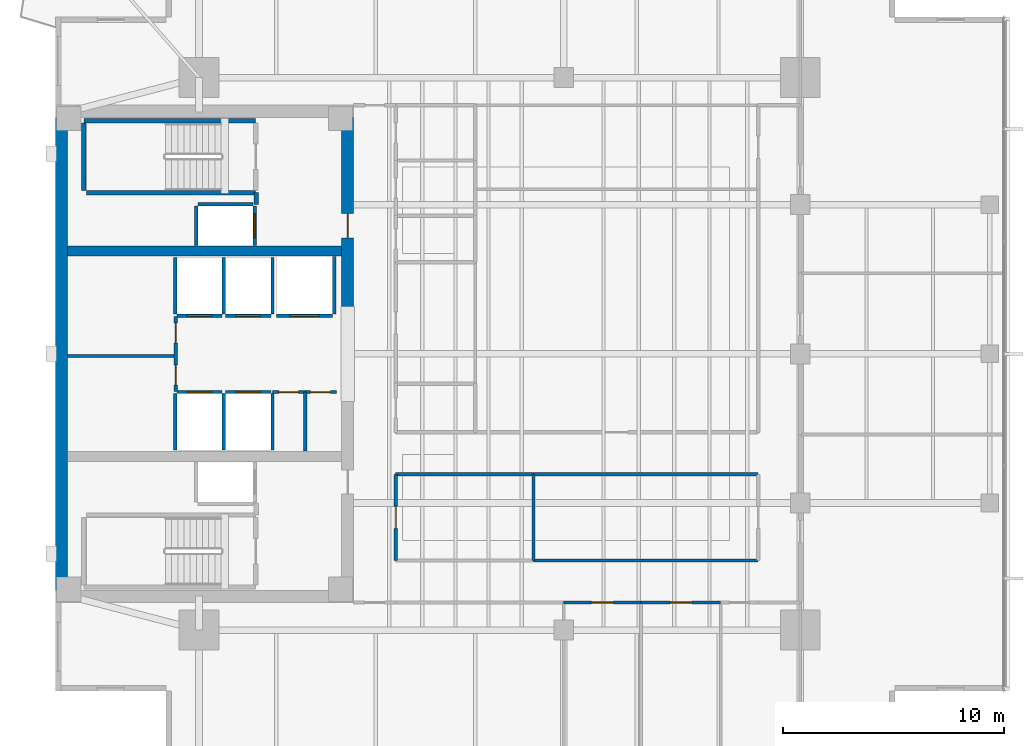
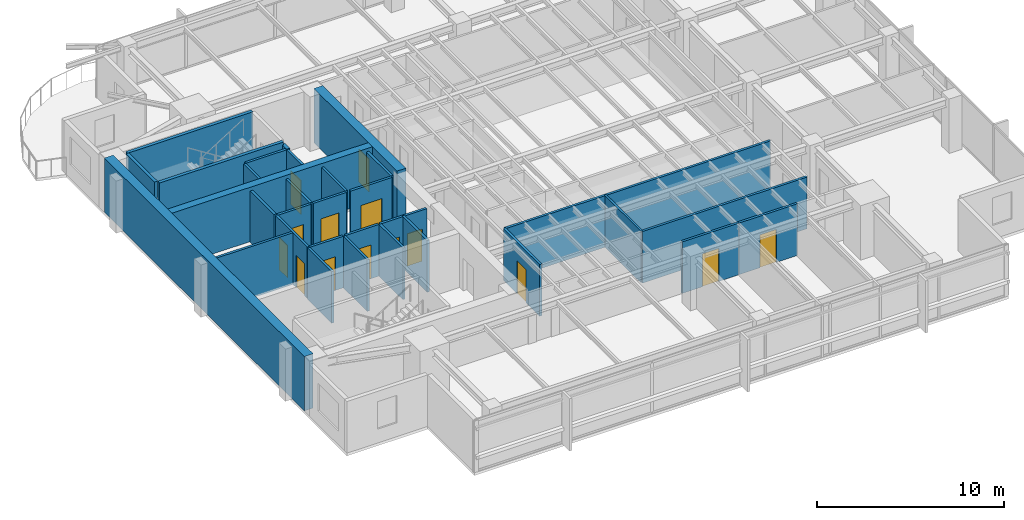
# One storey, part 8 of 14: 33 walls, 14 doors, 14 openings.
"""IFC4 building model written with IfcOpenShell, lengths in metres."""

from ifc_helpers import new_model, si_unit, direction, frame, frame_2d, origin, place, context, subcontext, project, spatial, rectangle, extrude, material, layer, layer_set, type_object, element, fill, save


model = new_model("IFC4")

# Units and contexts
model_context = context("Model", 3, precision=1e-05, world=origin(), true_north=direction((0.0, 1.0)))
body_context = subcontext(model_context, "Body", "Model", "MODEL_VIEW")
ifc_project = project(units=[si_unit("LENGTHUNIT", "METRE"), si_unit("AREAUNIT", "SQUARE_METRE"), si_unit("VOLUMEUNIT", "CUBIC_METRE"), si_unit("PLANEANGLEUNIT", "RADIAN"), si_unit("MASSUNIT", "GRAM", prefix="KILO")], contexts=[model_context])

# Site, building, storey
site_placement = place(None, origin())
site = spatial("IfcSite", under=ifc_project, at=site_placement, CompositionType="ELEMENT")
building_placement = place(site_placement, origin())
building = spatial("IfcBuilding", under=site, at=building_placement, Name="Kinhvarn Gate Tower", CompositionType="ELEMENT")
storey_placement = place(building_placement, frame((0.0, 0.0, 223.550048828125)))
storey = spatial("IfcBuildingStorey", under=building, at=storey_placement, Name="L59", CompositionType="ELEMENT", Elevation=223.550048828125)

# Wall
ifc_material_1 = material(Name="Concrete C50/60", Category="concrete")
ifc_layer_1 = layer(ifc_material_1, 0.449951171875)
ifc_layer_set_1 = layer_set([ifc_layer_1], Name="Concrete C50/60")
wall_type_1 = type_object("IfcWallType", Name="WL-CORE-450", PredefinedType="SHEAR", material=ifc_layer_set_1)
wall_1_placement = place(storey_placement, frame((5.050048828125, 29.89990234375, 0.0), z_axis=(0.0, 0.0, 1.0), x_axis=(1.0, 0.0, 0.0)))
element("IfcWall", 1, at=wall_1_placement, inside=storey, type_object=wall_type_1, Name="Core North Spine Shear Wall L59 450 mm", PredefinedType="SHEAR", context=body_context, shape_type="SweptSolid", body=[
    extrude(rectangle(XDim=12.39990234375, YDim=0.449951171875, at=frame_2d((6.199951171875, 0.0))), origin(), (0.0, 0.0, 1.0), 3.550048828125),
])

# Wall, opening, door
ifc_material_2 = material(Name="Concrete C60/75", Category="concrete")
ifc_layer_2 = layer(ifc_material_2, 0.550048828125)
ifc_layer_set_2 = layer_set([ifc_layer_2], Name="Concrete C60/75")
wall_type_2 = type_object("IfcWallType", Name="WL-CORE-550", PredefinedType="SHEAR", material=ifc_layer_set_2)
wall_2_placement = place(storey_placement, frame((17.72509765625, 27.050048828125, 0.0), z_axis=(0.0, 0.0, 1.0), x_axis=(0.0, 1.0, 0.0)))
wall_2 = element("IfcWall", 2, at=wall_2_placement, inside=storey, type_object=wall_type_2, Name="Core East-North Shear Pier L59 550 mm", PredefinedType="SHEAR", context=body_context, shape_type="SweptSolid", body=[
    extrude(rectangle(XDim=8.89990234375, YDim=0.550048828125, at=frame_2d((4.449951171875, 0.0))), origin(), (0.0, 0.0, 1.0), 3.550048828125),
])
opening_1_placement = place(wall_2_placement, frame((3.449951171875, 0.0, 0.0)))
opening_1 = element("IfcOpeningElement", 3, at=opening_1_placement, cuts=wall_2, Name="Opening FD-02", PredefinedType="OPENING", context=body_context, shape_type="SweptSolid", body=[
    extrude(rectangle(XDim=1.10009765625, YDim=2.14990234375, at=frame_2d((0.550048828125, 1.074951171875))), frame((0.0, 0.28515625, 0.0), z_axis=(0.0, -1.0, 0.0), x_axis=(1.0, 0.0, 0.0)), (0.0, 0.0, 1.0), 0.570068359375),
])
ifc_material_3 = material(Name="Anodised aluminium AW-6063", Category="aluminium")
door_type_1 = type_object("IfcDoorType", Name="DR-FD-1100", OperationType="NOTDEFINED", PredefinedType="DOOR", material=ifc_material_3)
door_1_placement = place(opening_1_placement, origin())
door_1 = element("IfcDoor", 4, at=door_1_placement, inside=storey, type_object=door_type_1, Name="Firefighting Lobby Core Door (L59)", OperationType="SINGLE_SWING_LEFT", OverallHeight=2.14990234375, OverallWidth=1.10009765625, PredefinedType="DOOR", context=body_context, shape_type="SweptSolid", body=[
    extrude(rectangle(XDim=1.10009765625, YDim=2.14990234375, at=frame_2d((0.550048828125, 1.074951171875))), frame((0.0, 0.02490234375, 0.0), z_axis=(0.0, -1.0, 0.0), x_axis=(1.0, 0.0, 0.0)), (0.0, 0.0, 1.0), 0.050048828125),
])
fill(opening_1, door_1)

# Walls
ifc_layer_3 = layer(ifc_material_2, 0.550048828125)
ifc_layer_set_3 = layer_set([ifc_layer_3], Name="Concrete C60/75")
wall_type_3 = type_object("IfcWallType", Name="WL-COREX-550", PredefinedType="SHEAR", material=ifc_layer_set_3)
wall_3_placement = place(storey_placement, frame((4.77490234375, 14.550048828125, 0.0), z_axis=(0.0, 0.0, 1.0), x_axis=(0.0, 1.0, 0.0)))
element("IfcWall", 5, at=wall_3_placement, inside=storey, type_object=wall_type_3, Name="Core West Shear Wall L59 550 mm", PredefinedType="SHEAR", context=body_context, shape_type="SweptSolid", body=[
    extrude(rectangle(XDim=21.39990234375, YDim=0.550048828125, at=frame_2d((10.699951171875, 0.0))), origin(), (0.0, 0.0, 1.0), 3.550048828125),
])
ifc_material_4 = material(Name="Gypsum acoustic partition board")
ifc_layer_4 = layer(ifc_material_4, 0.1201171875)
ifc_layer_set_4 = layer_set([ifc_layer_4], Name="Gypsum acoustic partition board")
wall_type_4 = type_object("IfcWallType", Name="WL-PRT-120", PredefinedType="PARTITIONING", material=ifc_layer_set_4)
wall_4_placement = place(storey_placement, frame((26.1298828125, 15.89990234375, 0.0), z_axis=(0.0, 0.0, 1.0), x_axis=(0.0, 1.0, 0.0)))
element("IfcWall", 6, at=wall_4_placement, inside=storey, type_object=wall_type_4, Name="Interior Partition PW-120 (L59)", PredefinedType="PARTITIONING", context=body_context, shape_type="SweptSolid", body=[
    extrude(rectangle(XDim=3.900146484375, YDim=0.1201171875, at=frame_2d((1.9501953125, 0.0))), origin(), (0.0, 0.0, 1.0), 3.369873046875),
])
ifc_layer_5 = layer(ifc_material_4, 0.14990234375)
ifc_layer_set_5 = layer_set([ifc_layer_5], Name="Gypsum acoustic partition board")
wall_type_5 = type_object("IfcWallType", Name="WL-PRT-150F", PredefinedType="PARTITIONING", material=ifc_layer_set_5)
wall_5_placement = place(storey_placement, frame((5.050048828125, 25.14990234375, 0.0), z_axis=(0.0, 0.0, 1.0), x_axis=(1.0, 0.0, 0.0)))
element("IfcWall", 7, at=wall_5_placement, inside=storey, type_object=wall_type_5, Name="Interior Partition PW-150F (L59)", PredefinedType="PARTITIONING", context=body_context, shape_type="SweptSolid", body=[
    extrude(rectangle(XDim=4.89990234375, YDim=0.14990234375, at=frame_2d((2.449951171875, 0.0))), origin(), (0.0, 0.0, 1.0), 3.369873046875),
])

# Wall, openings, doors
wall_6_placement = place(storey_placement, frame((9.949951171875, 23.550048828125, 0.0), z_axis=(0.0, 0.0, 1.0), x_axis=(0.0, 1.0, 0.0)))
wall_6 = element("IfcWall", 8, at=wall_6_placement, inside=storey, type_object=wall_type_5, Name="Interior Partition PW-150F (L59)", PredefinedType="PARTITIONING", context=body_context, shape_type="SweptSolid", body=[
    extrude(rectangle(XDim=3.39990234375, YDim=0.14990234375, at=frame_2d((1.699951171875, 0.0))), origin(), (0.0, 0.0, 1.0), 3.369873046875),
])
opening_2_placement = place(wall_6_placement, frame((0.298095703125, 0.0, 0.0)))
opening_2 = element("IfcOpeningElement", 9, at=opening_2_placement, cuts=wall_6, Name="Opening FD-04", PredefinedType="OPENING", context=body_context, shape_type="SweptSolid", body=[
    extrude(rectangle(XDim=0.89990234375, YDim=2.10009765625, at=frame_2d((0.449951171875, 1.050048828125))), frame((0.0, 0.0849609375, 0.0), z_axis=(0.0, -1.0, 0.0), x_axis=(1.0, 0.0, 0.0)), (0.0, 0.0, 1.0), 0.169921875),
])
opening_3_placement = place(wall_6_placement, frame((2.201904296875, 0.0, 0.0)))
opening_3 = element("IfcOpeningElement", 10, at=opening_3_placement, cuts=wall_6, Name="Opening FD-04", PredefinedType="OPENING", context=body_context, shape_type="SweptSolid", body=[
    extrude(rectangle(XDim=0.89990234375, YDim=2.10009765625, at=frame_2d((0.449951171875, 1.050048828125))), frame((0.0, 0.0849609375, 0.0), z_axis=(0.0, -1.0, 0.0), x_axis=(1.0, 0.0, 0.0)), (0.0, 0.0, 1.0), 0.169921875),
])
door_type_2 = type_object("IfcDoorType", Name="DR-FD-900", OperationType="NOTDEFINED", PredefinedType="DOOR", material=ifc_material_3)
door_2_placement = place(opening_2_placement, origin())
door_2 = element("IfcDoor", 11, at=door_2_placement, inside=storey, type_object=door_type_2, Name="Rated Riser & Service Closet Fire Door 900x2100 mm (L59)", OperationType="SINGLE_SWING_RIGHT", OverallHeight=2.10009765625, OverallWidth=0.89990234375, PredefinedType="DOOR", context=body_context, shape_type="SweptSolid", body=[
    extrude(rectangle(XDim=0.89990234375, YDim=2.10009765625, at=frame_2d((0.449951171875, 1.050048828125))), frame((0.0, 0.02490234375, 0.0), z_axis=(0.0, -1.0, 0.0), x_axis=(1.0, 0.0, 0.0)), (0.0, 0.0, 1.0), 0.050048828125),
])
fill(opening_2, door_2)
door_3_placement = place(opening_3_placement, origin())
door_3 = element("IfcDoor", 12, at=door_3_placement, inside=storey, type_object=door_type_2, Name="Rated Riser & Service Closet Fire Door 900x2100 mm (L59)", OperationType="SINGLE_SWING_LEFT", OverallHeight=2.10009765625, OverallWidth=0.89990234375, PredefinedType="DOOR", context=body_context, shape_type="SweptSolid", body=[
    extrude(rectangle(XDim=0.89990234375, YDim=2.10009765625, at=frame_2d((0.449951171875, 1.050048828125))), frame((0.0, 0.02490234375, 0.0), z_axis=(0.0, -1.0, 0.0), x_axis=(1.0, 0.0, 0.0)), (0.0, 0.0, 1.0), 0.050048828125),
])
fill(opening_3, door_3)

# Wall
wall_7_placement = place(storey_placement, frame((15.800048828125, 20.85009765625, 0.0), z_axis=(0.0, 0.0, 1.0), x_axis=(0.0, 1.0, 0.0)))
element("IfcWall", 13, at=wall_7_placement, inside=storey, type_object=wall_type_5, Name="Interior Partition PW-150F (L59)", PredefinedType="PARTITIONING", context=body_context, shape_type="SweptSolid", body=[
    extrude(rectangle(XDim=2.669921875, YDim=0.14990234375, at=frame_2d((1.3349609375, 0.0))), origin(), (0.0, 0.0, 1.0), 3.369873046875),
])

# Wall, openings, doors
wall_8_placement = place(storey_placement, frame((14.330078125, 23.52001953125, 0.0), z_axis=(0.0, 0.0, 1.0), x_axis=(1.0, 0.0, 0.0)))
wall_8 = element("IfcWall", 14, at=wall_8_placement, inside=storey, type_object=wall_type_5, Name="Interior Partition PW-150F (L59)", PredefinedType="PARTITIONING", context=body_context, shape_type="SweptSolid", body=[
    extrude(rectangle(XDim=2.889892578125, YDim=0.14990234375, at=frame_2d((1.44482421875, 0.0))), origin(), (0.0, 0.0, 1.0), 3.369873046875),
])
opening_4_placement = place(wall_8_placement, frame((0.280029296875, 0.0, 0.0)))
opening_4 = element("IfcOpeningElement", 15, at=opening_4_placement, cuts=wall_8, Name="Opening FD-04", PredefinedType="OPENING", context=body_context, shape_type="SweptSolid", body=[
    extrude(rectangle(XDim=0.89990234375, YDim=2.10009765625, at=frame_2d((0.449951171875, 1.050048828125))), frame((0.0, 0.0849609375, 0.0), z_axis=(0.0, -1.0, 0.0), x_axis=(1.0, 0.0, 0.0)), (0.0, 0.0, 1.0), 0.169921875),
])
opening_5_placement = place(wall_8_placement, frame((1.7099609375, 0.0, 0.0)))
opening_5 = element("IfcOpeningElement", 16, at=opening_5_placement, cuts=wall_8, Name="Opening FD-04", PredefinedType="OPENING", context=body_context, shape_type="SweptSolid", body=[
    extrude(rectangle(XDim=0.89990234375, YDim=2.10009765625, at=frame_2d((0.449951171875, 1.050048828125))), frame((0.0, 0.0849609375, 0.0), z_axis=(0.0, -1.0, 0.0), x_axis=(1.0, 0.0, 0.0)), (0.0, 0.0, 1.0), 0.169921875),
])
door_4_placement = place(opening_4_placement, origin())
door_4 = element("IfcDoor", 17, at=door_4_placement, inside=storey, type_object=door_type_2, Name="Rated Riser & Service Closet Fire Door 900x2100 mm (L59)", OperationType="SINGLE_SWING_RIGHT", OverallHeight=2.10009765625, OverallWidth=0.89990234375, PredefinedType="DOOR", context=body_context, shape_type="SweptSolid", body=[
    extrude(rectangle(XDim=0.89990234375, YDim=2.10009765625, at=frame_2d((0.449951171875, 1.050048828125))), frame((0.0, 0.02490234375, 0.0), z_axis=(0.0, -1.0, 0.0), x_axis=(1.0, 0.0, 0.0)), (0.0, 0.0, 1.0), 0.050048828125),
])
fill(opening_4, door_4)
door_5_placement = place(opening_5_placement, origin())
door_5 = element("IfcDoor", 18, at=door_5_placement, inside=storey, type_object=door_type_2, Name="Rated Riser & Service Closet Fire Door 900x2100 mm (L59)", OperationType="SINGLE_SWING_LEFT", OverallHeight=2.10009765625, OverallWidth=0.89990234375, PredefinedType="DOOR", context=body_context, shape_type="SweptSolid", body=[
    extrude(rectangle(XDim=0.89990234375, YDim=2.10009765625, at=frame_2d((0.449951171875, 1.050048828125))), frame((0.0, 0.02490234375, 0.0), z_axis=(0.0, -1.0, 0.0), x_axis=(1.0, 0.0, 0.0)), (0.0, 0.0, 1.0), 0.050048828125),
])
fill(opening_5, door_5)

# Wall, opening, door
wall_9_placement = place(storey_placement, frame((19.89990234375, 15.89990234375, 0.0), z_axis=(0.0, 0.0, 1.0), x_axis=(0.0, 1.0, 0.0)))
wall_9 = element("IfcWall", 19, at=wall_9_placement, inside=storey, type_object=wall_type_5, Name="Interior Partition PW-150F (L59)", PredefinedType="PARTITIONING", context=body_context, shape_type="SweptSolid", body=[
    extrude(rectangle(XDim=3.900146484375, YDim=0.14990234375, at=frame_2d((1.9501953125, 0.0))), origin(), (0.0, 0.0, 1.0), 3.369873046875),
])
opening_6_placement = place(wall_9_placement, frame((1.449951171875, 0.0, 0.0)))
opening_6 = element("IfcOpeningElement", 20, at=opening_6_placement, cuts=wall_9, Name="Opening ID-02", PredefinedType="OPENING", context=body_context, shape_type="SweptSolid", body=[
    extrude(rectangle(XDim=1.0, YDim=2.14990234375, at=frame_2d((0.5, 1.074951171875))), frame((0.0, 0.0849609375, 0.0), z_axis=(0.0, -1.0, 0.0), x_axis=(1.0, 0.0, 0.0)), (0.0, 0.0, 1.0), 0.169921875),
])
door_type_3 = type_object("IfcDoorType", Name="DR-INT-1000", OperationType="NOTDEFINED", PredefinedType="DOOR", material=ifc_material_3)
door_6_placement = place(opening_6_placement, origin())
door_6 = element("IfcDoor", 21, at=door_6_placement, inside=storey, type_object=door_type_3, Name="Standard Office & Meeting Room Door 1000x2150 mm (L59)", OperationType="SINGLE_SWING_RIGHT", OverallHeight=2.14990234375, OverallWidth=1.0, PredefinedType="DOOR", context=body_context, shape_type="SweptSolid", body=[
    extrude(rectangle(XDim=1.0, YDim=2.14990234375, at=frame_2d((0.5, 1.074951171875))), frame((0.0, 0.02490234375, 0.0), z_axis=(0.0, -1.0, 0.0), x_axis=(1.0, 0.0, 0.0)), (0.0, 0.0, 1.0), 0.050048828125),
])
fill(opening_6, door_6)

# Walls
wall_10_placement = place(storey_placement, frame((19.89990234375, 19.800048828125, 0.0), z_axis=(0.0, 0.0, 1.0), x_axis=(1.0, 0.0, 0.0)))
element("IfcWall", 22, at=wall_10_placement, inside=storey, type_object=wall_type_5, Name="Interior Partition PW-150F (L59)", PredefinedType="PARTITIONING", context=body_context, shape_type="SweptSolid", body=[
    extrude(rectangle(XDim=6.22998046875, YDim=0.14990234375, at=frame_2d((3.114990234375, 0.0))), origin(), (0.0, 0.0, 1.0), 3.369873046875),
])
for number, where, z_axis, x_axis, name in (
    (23, (26.1298828125, 19.800048828125, 0.0), (0.0, 0.0, 1.0), (1.0, 0.0, 0.0), "Interior Partition PW-150F (L59)"),
    (24, (26.1298828125, 15.89990234375, 0.0), (0.0, 0.0, 1.0), (1.0, 0.0, 0.0), "Interior Partition PW-150F (L59)"),
):
    element("IfcWall", number, at=place(storey_placement, frame(where, z_axis=z_axis, x_axis=x_axis)), inside=storey, type_object=wall_type_5, Name=name, PredefinedType="PARTITIONING", context=body_context, shape_type="SweptSolid", body=[
        extrude(rectangle(XDim=10.170166015625, YDim=0.14990234375, at=frame_2d((5.0849609375, 0.0))), origin(), (0.0, 0.0, 1.0), 3.369873046875),
    ])

# Wall, opening, door
wall_11_placement = place(storey_placement, frame((27.5, 14.0, 0.0), z_axis=(0.0, 0.0, 1.0), x_axis=(1.0, 0.0, 0.0)))
wall_11 = element("IfcWall", 25, at=wall_11_placement, inside=storey, type_object=wall_type_5, Name="Interior Partition PW-150F (L59)", PredefinedType="PARTITIONING", context=body_context, shape_type="SweptSolid", body=[
    extrude(rectangle(XDim=3.5, YDim=0.14990234375, at=frame_2d((1.75, 0.0))), origin(), (0.0, 0.0, 1.0), 3.369873046875),
])
opening_7_placement = place(wall_11_placement, frame((1.25, 0.0, 0.0)))
opening_7 = element("IfcOpeningElement", 26, at=opening_7_placement, cuts=wall_11, Name="Opening ID-02", PredefinedType="OPENING", context=body_context, shape_type="SweptSolid", body=[
    extrude(rectangle(XDim=1.0, YDim=2.14990234375, at=frame_2d((0.5, 1.074951171875))), frame((0.0, 0.0849609375, 0.0), z_axis=(0.0, -1.0, 0.0), x_axis=(1.0, 0.0, 0.0)), (0.0, 0.0, 1.0), 0.169921875),
])
door_7_placement = place(opening_7_placement, origin())
door_7 = element("IfcDoor", 27, at=door_7_placement, inside=storey, type_object=door_type_3, Name="Standard Office & Meeting Room Door 1000x2150 mm (L59)", OperationType="SINGLE_SWING_RIGHT", OverallHeight=2.14990234375, OverallWidth=1.0, PredefinedType="DOOR", context=body_context, shape_type="SweptSolid", body=[
    extrude(rectangle(XDim=1.0, YDim=2.14990234375, at=frame_2d((0.5, 1.074951171875))), frame((0.0, 0.02490234375, 0.0), z_axis=(0.0, -1.0, 0.0), x_axis=(1.0, 0.0, 0.0)), (0.0, 0.0, 1.0), 0.050048828125),
])
fill(opening_7, door_7)

wall_12_placement = place(storey_placement, frame((31.0, 14.0, 0.0), z_axis=(0.0, 0.0, 1.0), x_axis=(1.0, 0.0, 0.0)))
wall_12 = element("IfcWall", 28, at=wall_12_placement, inside=storey, type_object=wall_type_5, Name="Interior Partition PW-150F (L59)", PredefinedType="PARTITIONING", context=body_context, shape_type="SweptSolid", body=[
    extrude(rectangle(XDim=3.60009765625, YDim=0.14990234375, at=frame_2d((1.800048828125, 0.0))), origin(), (0.0, 0.0, 1.0), 3.369873046875),
])
opening_8_placement = place(wall_12_placement, frame((1.300048828125, 0.0, 0.0)))
opening_8 = element("IfcOpeningElement", 29, at=opening_8_placement, cuts=wall_12, Name="Opening ID-02", PredefinedType="OPENING", context=body_context, shape_type="SweptSolid", body=[
    extrude(rectangle(XDim=1.0, YDim=2.14990234375, at=frame_2d((0.5, 1.074951171875))), frame((0.0, 0.0849609375, 0.0), z_axis=(0.0, -1.0, 0.0), x_axis=(1.0, 0.0, 0.0)), (0.0, 0.0, 1.0), 0.169921875),
])
door_8_placement = place(opening_8_placement, origin())
door_8 = element("IfcDoor", 30, at=door_8_placement, inside=storey, type_object=door_type_3, Name="Standard Office & Meeting Room Door 1000x2150 mm (L59)", OperationType="SINGLE_SWING_LEFT", OverallHeight=2.14990234375, OverallWidth=1.0, PredefinedType="DOOR", context=body_context, shape_type="SweptSolid", body=[
    extrude(rectangle(XDim=1.0, YDim=2.14990234375, at=frame_2d((0.5, 1.074951171875))), frame((0.0, 0.02490234375, 0.0), z_axis=(0.0, -1.0, 0.0), x_axis=(1.0, 0.0, 0.0)), (0.0, 0.0, 1.0), 0.050048828125),
])
fill(opening_8, door_8)

# Wall
ifc_layer_6 = layer(ifc_material_4, 0.199951171875)
ifc_layer_set_6 = layer_set([ifc_layer_6], Name="Gypsum acoustic partition board")
wall_type_6 = type_object("IfcWallType", Name="WL-PRT-200", PredefinedType="PARTITIONING", material=ifc_layer_set_6)
wall_13_placement = place(storey_placement, frame((13.580078125, 32.0, 0.0), z_axis=(0.0, 0.0, 1.0), x_axis=(0.0, 1.0, 0.0)))
element("IfcWall", 31, at=wall_13_placement, inside=storey, type_object=wall_type_6, Name="Interior Partition PW-200 (L59)", PredefinedType="PARTITIONING", context=body_context, shape_type="SweptSolid", body=[
    extrude(rectangle(XDim=0.5400390625, YDim=0.199951171875, at=frame_2d((0.27001953125, 0.0))), origin(), (0.0, 0.0, 1.0), 3.369873046875),
])

# Wall, opening, door
ifc_layer_7 = layer(ifc_material_4, 0.14990234375)
ifc_layer_set_7 = layer_set([ifc_layer_7], Name="Gypsum acoustic partition board")
wall_type_7 = type_object("IfcWallType", Name="WL-SHF-150", PredefinedType="PARTITIONING", material=ifc_layer_set_7)
wall_14_placement = place(storey_placement, frame((10.0, 23.52490234375, 0.0), z_axis=(0.0, 0.0, 1.0), x_axis=(1.0, 0.0, 0.0)))
wall_14 = element("IfcWall", 32, at=wall_14_placement, inside=storey, type_object=wall_type_7, Name="Elevator PH-09 Landing Wall (L59)", PredefinedType="PARTITIONING", context=body_context, shape_type="SweptSolid", body=[
    extrude(rectangle(XDim=2.050048828125, YDim=0.14990234375, at=frame_2d((1.02490234375, 0.0))), origin(), (0.0, 0.0, 1.0), 3.369873046875),
])
opening_9_placement = place(wall_14_placement, frame((0.47509765625, 0.0, 0.0)))
opening_9 = element("IfcOpeningElement", 33, at=opening_9_placement, cuts=wall_14, Name="Opening LD-01", PredefinedType="OPENING", context=body_context, shape_type="SweptSolid", body=[
    extrude(rectangle(XDim=1.10009765625, YDim=2.199951171875, at=frame_2d((0.550048828125, 1.10009765625))), frame((0.0, 0.0849609375, 0.0), z_axis=(0.0, -1.0, 0.0), x_axis=(1.0, 0.0, 0.0)), (0.0, 0.0, 1.0), 0.169921875),
])
door_type_4 = type_object("IfcDoorType", Name="DR-LND-PAS", OperationType="NOTDEFINED", PredefinedType="DOOR", material=ifc_material_3)
door_9_placement = place(opening_9_placement, origin())
door_9 = element("IfcDoor", 34, at=door_9_placement, inside=storey, type_object=door_type_4, Name="Elevator PH-09 Sliding Landing Door (L59)", OperationType="DOUBLE_DOOR_SLIDING", OverallHeight=2.199951171875, OverallWidth=1.10009765625, PredefinedType="DOOR", context=body_context, shape_type="SweptSolid", body=[
    extrude(rectangle(XDim=1.10009765625, YDim=2.199951171875, at=frame_2d((0.550048828125, 1.10009765625))), frame((0.0, 0.02490234375, 0.0), z_axis=(0.0, -1.0, 0.0), x_axis=(1.0, 0.0, 0.0)), (0.0, 0.0, 1.0), 0.050048828125),
])
fill(opening_9, door_9)

# Walls
for number, where, z_axis, x_axis, name in (
    (35, (9.925048828125, 20.89990234375, 0.0), (0.0, 0.0, 1.0), (0.0, 1.0, 0.0), "Elevator PH-09 Hoistway Wall W (L59)"),
    (36, (12.125, 20.89990234375, 0.0), (0.0, 0.0, 1.0), (0.0, 1.0, 0.0), "Elevator PH-09 Hoistway Wall E (L59)"),
):
    element("IfcWall", number, at=place(storey_placement, frame(where, z_axis=z_axis, x_axis=x_axis)), inside=storey, type_object=wall_type_7, Name=name, PredefinedType="PARTITIONING", context=body_context, shape_type="SweptSolid", body=[
        extrude(rectangle(XDim=2.550048828125, YDim=0.14990234375, at=frame_2d((1.27490234375, 0.0))), origin(), (0.0, 0.0, 1.0), 3.369873046875),
    ])

# Wall, opening, door
wall_15_placement = place(storey_placement, frame((12.199951171875, 23.52490234375, 0.0), z_axis=(0.0, 0.0, 1.0), x_axis=(1.0, 0.0, 0.0)))
wall_15 = element("IfcWall", 37, at=wall_15_placement, inside=storey, type_object=wall_type_7, Name="Elevator PH-10 Landing Wall (L59)", PredefinedType="PARTITIONING", context=body_context, shape_type="SweptSolid", body=[
    extrude(rectangle(XDim=2.050048828125, YDim=0.14990234375, at=frame_2d((1.02490234375, 0.0))), origin(), (0.0, 0.0, 1.0), 3.369873046875),
])
opening_10_placement = place(wall_15_placement, frame((0.47509765625, 0.0, 0.0)))
opening_10 = element("IfcOpeningElement", 38, at=opening_10_placement, cuts=wall_15, Name="Opening LD-01", PredefinedType="OPENING", context=body_context, shape_type="SweptSolid", body=[
    extrude(rectangle(XDim=1.10009765625, YDim=2.199951171875, at=frame_2d((0.550048828125, 1.10009765625))), frame((0.0, 0.0849609375, 0.0), z_axis=(0.0, -1.0, 0.0), x_axis=(1.0, 0.0, 0.0)), (0.0, 0.0, 1.0), 0.169921875),
])
door_10_placement = place(opening_10_placement, origin())
door_10 = element("IfcDoor", 39, at=door_10_placement, inside=storey, type_object=door_type_4, Name="Elevator PH-10 Sliding Landing Door (L59)", OperationType="DOUBLE_DOOR_SLIDING", OverallHeight=2.199951171875, OverallWidth=1.10009765625, PredefinedType="DOOR", context=body_context, shape_type="SweptSolid", body=[
    extrude(rectangle(XDim=1.10009765625, YDim=2.199951171875, at=frame_2d((0.550048828125, 1.10009765625))), frame((0.0, 0.02490234375, 0.0), z_axis=(0.0, -1.0, 0.0), x_axis=(1.0, 0.0, 0.0)), (0.0, 0.0, 1.0), 0.050048828125),
])
fill(opening_10, door_10)

# Wall
wall_16_placement = place(storey_placement, frame((14.324951171875, 20.89990234375, 0.0), z_axis=(0.0, 0.0, 1.0), x_axis=(0.0, 1.0, 0.0)))
element("IfcWall", 40, at=wall_16_placement, inside=storey, type_object=wall_type_7, Name="Elevator PH-10 Hoistway Wall E (L59)", PredefinedType="PARTITIONING", context=body_context, shape_type="SweptSolid", body=[
    extrude(rectangle(XDim=2.550048828125, YDim=0.14990234375, at=frame_2d((1.27490234375, 0.0))), origin(), (0.0, 0.0, 1.0), 3.369873046875),
])

# Wall, opening, door
wall_17_placement = place(storey_placement, frame((10.0, 26.97509765625, 0.0), z_axis=(0.0, 0.0, 1.0), x_axis=(1.0, 0.0, 0.0)))
wall_17 = element("IfcWall", 41, at=wall_17_placement, inside=storey, type_object=wall_type_7, Name="Elevator PH-11 Landing Wall (L59)", PredefinedType="PARTITIONING", context=body_context, shape_type="SweptSolid", body=[
    extrude(rectangle(XDim=2.050048828125, YDim=0.14990234375, at=frame_2d((1.02490234375, 0.0))), origin(), (0.0, 0.0, 1.0), 3.369873046875),
])
opening_11_placement = place(wall_17_placement, frame((0.47509765625, 0.0, 0.0)))
opening_11 = element("IfcOpeningElement", 42, at=opening_11_placement, cuts=wall_17, Name="Opening LD-01", PredefinedType="OPENING", context=body_context, shape_type="SweptSolid", body=[
    extrude(rectangle(XDim=1.10009765625, YDim=2.199951171875, at=frame_2d((0.550048828125, 1.10009765625))), frame((0.0, 0.0849609375, 0.0), z_axis=(0.0, -1.0, 0.0), x_axis=(1.0, 0.0, 0.0)), (0.0, 0.0, 1.0), 0.169921875),
])
door_11_placement = place(opening_11_placement, origin())
door_11 = element("IfcDoor", 43, at=door_11_placement, inside=storey, type_object=door_type_4, Name="Elevator PH-11 Sliding Landing Door (L59)", OperationType="DOUBLE_DOOR_SLIDING", OverallHeight=2.199951171875, OverallWidth=1.10009765625, PredefinedType="DOOR", context=body_context, shape_type="SweptSolid", body=[
    extrude(rectangle(XDim=1.10009765625, YDim=2.199951171875, at=frame_2d((0.550048828125, 1.10009765625))), frame((0.0, 0.02490234375, 0.0), z_axis=(0.0, -1.0, 0.0), x_axis=(1.0, 0.0, 0.0)), (0.0, 0.0, 1.0), 0.050048828125),
])
fill(opening_11, door_11)

# Walls
for number, where, z_axis, x_axis, name in (
    (44, (9.925048828125, 27.050048828125, 0.0), (0.0, 0.0, 1.0), (0.0, 1.0, 0.0), "Elevator PH-11 Hoistway Wall W (L59)"),
    (45, (12.125, 27.050048828125, 0.0), (0.0, 0.0, 1.0), (0.0, 1.0, 0.0), "Elevator PH-11 Hoistway Wall E (L59)"),
):
    element("IfcWall", number, at=place(storey_placement, frame(where, z_axis=z_axis, x_axis=x_axis)), inside=storey, type_object=wall_type_7, Name=name, PredefinedType="PARTITIONING", context=body_context, shape_type="SweptSolid", body=[
        extrude(rectangle(XDim=2.550048828125, YDim=0.14990234375, at=frame_2d((1.27490234375, 0.0))), origin(), (0.0, 0.0, 1.0), 3.369873046875),
    ])

# Wall, opening, door
wall_18_placement = place(storey_placement, frame((12.199951171875, 26.97509765625, 0.0), z_axis=(0.0, 0.0, 1.0), x_axis=(1.0, 0.0, 0.0)))
wall_18 = element("IfcWall", 46, at=wall_18_placement, inside=storey, type_object=wall_type_7, Name="Elevator PH-12 Landing Wall (L59)", PredefinedType="PARTITIONING", context=body_context, shape_type="SweptSolid", body=[
    extrude(rectangle(XDim=2.050048828125, YDim=0.14990234375, at=frame_2d((1.02490234375, 0.0))), origin(), (0.0, 0.0, 1.0), 3.369873046875),
])
opening_12_placement = place(wall_18_placement, frame((0.47509765625, 0.0, 0.0)))
opening_12 = element("IfcOpeningElement", 47, at=opening_12_placement, cuts=wall_18, Name="Opening LD-01", PredefinedType="OPENING", context=body_context, shape_type="SweptSolid", body=[
    extrude(rectangle(XDim=1.10009765625, YDim=2.199951171875, at=frame_2d((0.550048828125, 1.10009765625))), frame((0.0, 0.0849609375, 0.0), z_axis=(0.0, -1.0, 0.0), x_axis=(1.0, 0.0, 0.0)), (0.0, 0.0, 1.0), 0.169921875),
])
door_12_placement = place(opening_12_placement, origin())
door_12 = element("IfcDoor", 48, at=door_12_placement, inside=storey, type_object=door_type_4, Name="Elevator PH-12 Sliding Landing Door (L59)", OperationType="DOUBLE_DOOR_SLIDING", OverallHeight=2.199951171875, OverallWidth=1.10009765625, PredefinedType="DOOR", context=body_context, shape_type="SweptSolid", body=[
    extrude(rectangle(XDim=1.10009765625, YDim=2.199951171875, at=frame_2d((0.550048828125, 1.10009765625))), frame((0.0, 0.02490234375, 0.0), z_axis=(0.0, -1.0, 0.0), x_axis=(1.0, 0.0, 0.0)), (0.0, 0.0, 1.0), 0.050048828125),
])
fill(opening_12, door_12)

# Wall
wall_19_placement = place(storey_placement, frame((14.324951171875, 27.050048828125, 0.0), z_axis=(0.0, 0.0, 1.0), x_axis=(0.0, 1.0, 0.0)))
element("IfcWall", 49, at=wall_19_placement, inside=storey, type_object=wall_type_7, Name="Elevator PH-12 Hoistway Wall E (L59)", PredefinedType="PARTITIONING", context=body_context, shape_type="SweptSolid", body=[
    extrude(rectangle(XDim=2.550048828125, YDim=0.14990234375, at=frame_2d((1.27490234375, 0.0))), origin(), (0.0, 0.0, 1.0), 3.369873046875),
])

# Wall, opening, door
wall_20_placement = place(storey_placement, frame((14.5, 26.97509765625, 0.0), z_axis=(0.0, 0.0, 1.0), x_axis=(1.0, 0.0, 0.0)))
wall_20 = element("IfcWall", 50, at=wall_20_placement, inside=storey, type_object=wall_type_7, Name="Elevator SV-01 Landing Wall (L59)", PredefinedType="PARTITIONING", context=body_context, shape_type="SweptSolid", body=[
    extrude(rectangle(XDim=2.550048828125, YDim=0.14990234375, at=frame_2d((1.27490234375, 0.0))), origin(), (0.0, 0.0, 1.0), 3.369873046875),
])
opening_13_placement = place(wall_20_placement, frame((0.625, 0.0, 0.0)))
opening_13 = element("IfcOpeningElement", 51, at=opening_13_placement, cuts=wall_20, Name="Opening LD-02", PredefinedType="OPENING", context=body_context, shape_type="SweptSolid", body=[
    extrude(rectangle(XDim=1.300048828125, YDim=2.199951171875, at=frame_2d((0.64990234375, 1.10009765625))), frame((0.0, 0.0849609375, 0.0), z_axis=(0.0, -1.0, 0.0), x_axis=(1.0, 0.0, 0.0)), (0.0, 0.0, 1.0), 0.169921875),
])
door_type_5 = type_object("IfcDoorType", Name="DR-LND-SRV", OperationType="NOTDEFINED", PredefinedType="DOOR", material=ifc_material_3)
door_13_placement = place(opening_13_placement, origin())
door_13 = element("IfcDoor", 52, at=door_13_placement, inside=storey, type_object=door_type_5, Name="Elevator SV-01 Sliding Landing Door (L59)", OperationType="DOUBLE_DOOR_SLIDING", OverallHeight=2.199951171875, OverallWidth=1.300048828125, PredefinedType="DOOR", context=body_context, shape_type="SweptSolid", body=[
    extrude(rectangle(XDim=1.300048828125, YDim=2.199951171875, at=frame_2d((0.64990234375, 1.10009765625))), frame((0.0, 0.02490234375, 0.0), z_axis=(0.0, -1.0, 0.0), x_axis=(1.0, 0.0, 0.0)), (0.0, 0.0, 1.0), 0.050048828125),
])
fill(opening_13, door_13)

# Walls
wall_21_placement = place(storey_placement, frame((17.125, 27.050048828125, 0.0), z_axis=(0.0, 0.0, 1.0), x_axis=(0.0, 1.0, 0.0)))
element("IfcWall", 53, at=wall_21_placement, inside=storey, type_object=wall_type_7, Name="Elevator SV-01 Hoistway Wall E (L59)", PredefinedType="PARTITIONING", context=body_context, shape_type="SweptSolid", body=[
    extrude(rectangle(XDim=2.599853515625, YDim=0.14990234375, at=frame_2d((1.2998046875, 0.0))), origin(), (0.0, 0.0, 1.0), 3.369873046875),
])
wall_22_placement = place(storey_placement, frame((10.949951171875, 32.02490234375, 0.0), z_axis=(0.0, 0.0, 1.0), x_axis=(1.0, 0.0, 0.0)))
element("IfcWall", 54, at=wall_22_placement, inside=storey, type_object=wall_type_7, Name="Elevator FF2 Hoistway Wall N (L59)", PredefinedType="PARTITIONING", context=body_context, shape_type="SweptSolid", body=[
    extrude(rectangle(XDim=2.5, YDim=0.14990234375, at=frame_2d((1.25, 0.0))), origin(), (0.0, 0.0, 1.0), 3.369873046875),
])
wall_23_placement = place(storey_placement, frame((10.875, 30.14990234375, 0.0), z_axis=(0.0, 0.0, 1.0), x_axis=(0.0, 1.0, 0.0)))
element("IfcWall", 55, at=wall_23_placement, inside=storey, type_object=wall_type_7, Name="Elevator FF2 Hoistway Wall W (L59)", PredefinedType="PARTITIONING", context=body_context, shape_type="SweptSolid", body=[
    extrude(rectangle(XDim=1.800048828125, YDim=0.14990234375, at=frame_2d((0.89990234375, 0.0))), origin(), (0.0, 0.0, 1.0), 3.369873046875),
])

# Wall, opening, door
wall_24_placement = place(storey_placement, frame((13.52490234375, 30.14990234375, 0.0), z_axis=(0.0, 0.0, 1.0), x_axis=(0.0, 1.0, 0.0)))
wall_24 = element("IfcWall", 56, at=wall_24_placement, inside=storey, type_object=wall_type_7, Name="Elevator FF2 Landing Wall (L59)", PredefinedType="PARTITIONING", context=body_context, shape_type="SweptSolid", body=[
    extrude(rectangle(XDim=1.800048828125, YDim=0.14990234375, at=frame_2d((0.89990234375, 0.0))), origin(), (0.0, 0.0, 1.0), 3.369873046875),
])
opening_14_placement = place(wall_24_placement, frame((0.35009765625, 0.0, 0.0)))
opening_14 = element("IfcOpeningElement", 57, at=opening_14_placement, cuts=wall_24, Name="Opening LD-03", PredefinedType="OPENING", context=body_context, shape_type="SweptSolid", body=[
    extrude(rectangle(XDim=1.10009765625, YDim=2.199951171875, at=frame_2d((0.550048828125, 1.10009765625))), frame((0.0, 0.0849609375, 0.0), z_axis=(0.0, -1.0, 0.0), x_axis=(1.0, 0.0, 0.0)), (0.0, 0.0, 1.0), 0.169921875),
])
door_type_6 = type_object("IfcDoorType", Name="DR-LND-FF", OperationType="NOTDEFINED", PredefinedType="DOOR", material=ifc_material_3)
door_14_placement = place(opening_14_placement, origin())
door_14 = element("IfcDoor", 58, at=door_14_placement, inside=storey, type_object=door_type_6, Name="Elevator FF2 Sliding Landing Door (L59)", OperationType="DOUBLE_DOOR_SLIDING", OverallHeight=2.199951171875, OverallWidth=1.10009765625, PredefinedType="DOOR", context=body_context, shape_type="SweptSolid", body=[
    extrude(rectangle(XDim=1.10009765625, YDim=2.199951171875, at=frame_2d((0.550048828125, 1.10009765625))), frame((0.0, 0.02490234375, 0.0), z_axis=(0.0, -1.0, 0.0), x_axis=(1.0, 0.0, 0.0)), (0.0, 0.0, 1.0), 0.050048828125),
])
fill(opening_14, door_14)

# Walls
ifc_material_5 = material(Name="Concrete C40/50", Category="concrete")
ifc_layer_8 = layer(ifc_material_5, 0.199951171875)
ifc_layer_set_8 = layer_set([ifc_layer_8], Name="Concrete C40/50")
wall_type_8 = type_object("IfcWallType", Name="WL-SHF-200", PredefinedType="SOLIDWALL", material=ifc_layer_set_8)
wall_25_placement = place(storey_placement, frame((5.800048828125, 35.800048828125, 0.0), z_axis=(0.0, 0.0, 1.0), x_axis=(1.0, 0.0, 0.0)))
element("IfcWall", 59, at=wall_25_placement, inside=storey, type_object=wall_type_8, Name="Stair ST2 North Shaft Wall (L59)", PredefinedType="SOLIDWALL", context=body_context, shape_type="SweptSolid", body=[
    extrude(rectangle(XDim=7.75, YDim=0.199951171875, at=frame_2d((3.875, 0.0))), origin(), (0.0, 0.0, 1.0), 3.550048828125),
])
wall_26_placement = place(storey_placement, frame((5.7900390625, 32.64990234375, 0.0), z_axis=(0.0, 0.0, 1.0), x_axis=(0.0, 1.0, 0.0)))
element("IfcWall", 60, at=wall_26_placement, inside=storey, type_object=wall_type_8, Name="Stair ST2 West Shaft Wall (L59)", PredefinedType="SOLIDWALL", context=body_context, shape_type="SweptSolid", body=[
    extrude(rectangle(XDim=3.050048828125, YDim=0.199951171875, at=frame_2d((1.52490234375, 0.0))), origin(), (0.0, 0.0, 1.0), 3.550048828125),
])
wall_27_placement = place(storey_placement, frame((5.89990234375, 32.5400390625, 0.0), z_axis=(0.0, 0.0, 1.0), x_axis=(1.0, 0.0, 0.0)))
element("IfcWall", 61, at=wall_27_placement, inside=storey, type_object=wall_type_8, Name="Stair ST2 South Shaft Wall (L59)", PredefinedType="SOLIDWALL", context=body_context, shape_type="SweptSolid", body=[
    extrude(rectangle(XDim=7.66015625, YDim=0.199951171875, at=frame_2d((3.830078125, 0.0))), origin(), (0.0, 0.0, 1.0), 3.550048828125),
])

save(model, "model.ifc")
